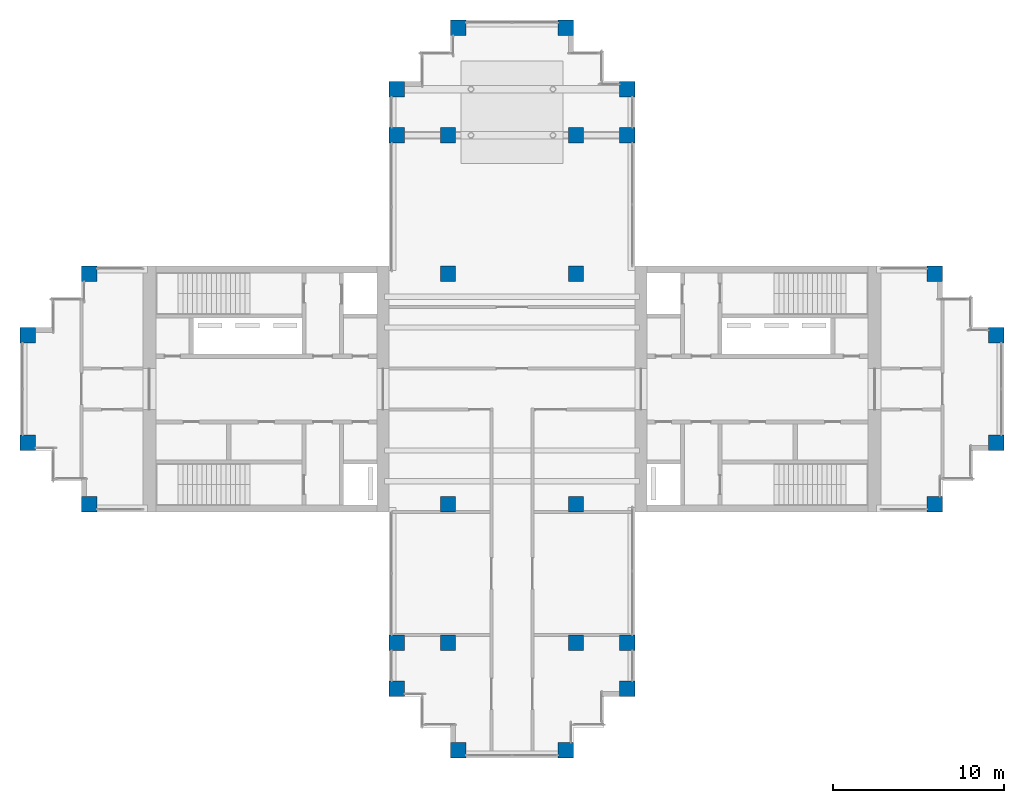
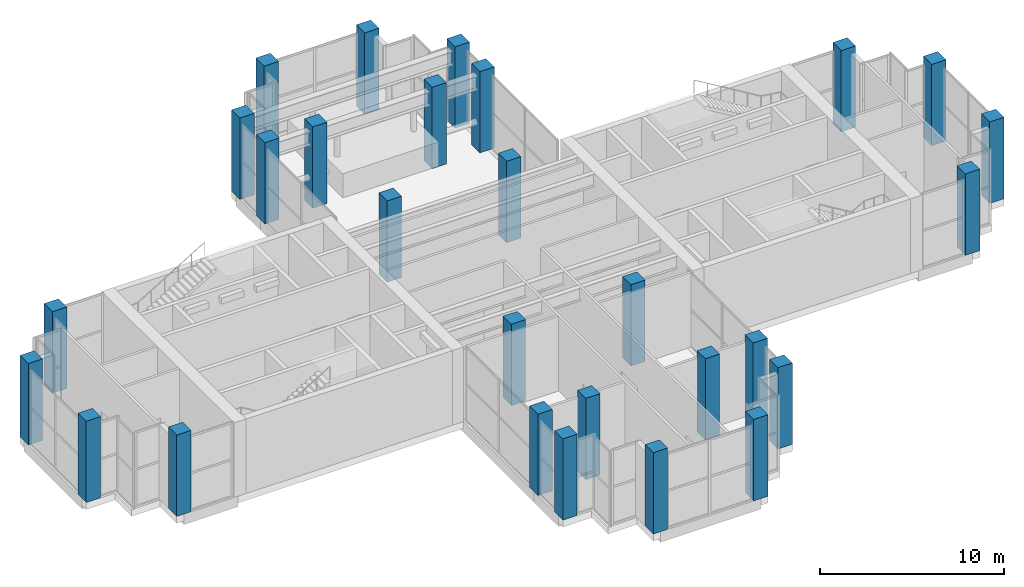
# One storey, part 1 of 13: 28 columns.
"""IFC4 building model written with IfcOpenShell, lengths in metres."""

from ifc_helpers import new_model, si_unit, direction, frame, origin, origin_2d, place, context, subcontext, project, spatial, rectangle, extrude, material, material_profile, profile_set, type_object, element, save


model = new_model("IFC4")

# Units and contexts
model_context = context("Model", 3, precision=1e-05, world=origin(), true_north=direction((0.0, 1.0)))
body_context = subcontext(model_context, "Body", "Model", "MODEL_VIEW")
ifc_project = project(units=[si_unit("LENGTHUNIT", "METRE"), si_unit("AREAUNIT", "SQUARE_METRE"), si_unit("VOLUMEUNIT", "CUBIC_METRE"), si_unit("PLANEANGLEUNIT", "RADIAN"), si_unit("MASSUNIT", "GRAM", prefix="KILO")], contexts=[model_context])

# Site, building, storey
site_placement = place(None, origin())
site = spatial("IfcSite", under=ifc_project, at=site_placement, CompositionType="ELEMENT")
building_placement = place(site_placement, origin())
building = spatial("IfcBuilding", under=site, at=building_placement, Name="Fustian Cross Tower", CompositionType="ELEMENT")
storey_placement = place(building_placement, frame((0.0, 0.0, 242.10009765625)))
storey = spatial("IfcBuildingStorey", under=building, at=storey_placement, Name="L76", CompositionType="ELEMENT", Elevation=242.10009765625)

# Columns
ifc_material = material(Name="Concrete C40/50", Category="concrete")
ifc_material_profile = material_profile(ifc_material, rectangle(XDim=0.89990234375, YDim=0.89990234375, at=origin_2d()), Name="RC 900x900")
ifc_profile_set = profile_set([ifc_material_profile], Name="Concrete C40/50")
column_type = type_object("IfcColumnType", Name="COLUMN RC 900x900 C40/50", PredefinedType="COLUMN", material=ifc_profile_set)
for number, where, z_axis, x_axis, name in (
    (1, (-28.35009765625, -3.14990234375, 0.0), (0.0, 0.0, 1.0), (1.0, 0.0, 0.0), "COLUMN 008"),
    (2, (-28.35009765625, 3.14990234375, 0.0), (0.0, 0.0, 1.0), (1.0, 0.0, 0.0), "COLUMN 009"),
    (3, (-24.75, -6.75, 0.0), (0.0, 0.0, 1.0), (1.0, 0.0, 0.0), "COLUMN 011"),
    (4, (-24.75, 6.75, 0.0), (0.0, 0.0, 1.0), (1.0, 0.0, 0.0), "COLUMN 012"),
    (5, (-6.75, -17.550048828125, 0.0), (0.0, 0.0, 1.0), (1.0, 0.0, 0.0), "COLUMN 017"),
    (6, (-6.75, -14.85009765625, 0.0), (0.0, 0.0, 1.0), (1.0, 0.0, 0.0), "COLUMN 018"),
    (7, (-6.75, 14.85009765625, 0.0), (0.0, 0.0, 1.0), (1.0, 0.0, 0.0), "COLUMN 019"),
    (8, (-6.75, 17.550048828125, 0.0), (0.0, 0.0, 1.0), (1.0, 0.0, 0.0), "COLUMN 020"),
    (9, (-3.75, -14.85009765625, 0.0), (0.0, 0.0, 1.0), (1.0, 0.0, 0.0), "COLUMN 025"),
    (10, (-3.75, -6.75, 0.0), (0.0, 0.0, 1.0), (1.0, 0.0, 0.0), "COLUMN 026"),
    (11, (-3.75, 6.75, 0.0), (0.0, 0.0, 1.0), (1.0, 0.0, 0.0), "COLUMN 027"),
    (12, (-3.75, 14.85009765625, 0.0), (0.0, 0.0, 1.0), (1.0, 0.0, 0.0), "COLUMN 028"),
    (13, (-3.14990234375, -21.14990234375, 0.0), (0.0, 0.0, 1.0), (1.0, 0.0, 0.0), "COLUMN 030"),
    (14, (-3.14990234375, 21.14990234375, 0.0), (0.0, 0.0, 1.0), (1.0, 0.0, 0.0), "COLUMN 031"),
    (15, (3.14990234375, -21.14990234375, 0.0), (0.0, 0.0, 1.0), (1.0, 0.0, 0.0), "COLUMN 034"),
    (16, (3.14990234375, 21.14990234375, 0.0), (0.0, 0.0, 1.0), (1.0, 0.0, 0.0), "COLUMN 035"),
    (17, (3.75, -14.85009765625, 0.0), (0.0, 0.0, 1.0), (1.0, 0.0, 0.0), "COLUMN 037"),
    (18, (3.75, -6.75, 0.0), (0.0, 0.0, 1.0), (1.0, 0.0, 0.0), "COLUMN 038"),
    (19, (3.75, 6.75, 0.0), (0.0, 0.0, 1.0), (1.0, 0.0, 0.0), "COLUMN 039"),
    (20, (3.75, 14.85009765625, 0.0), (0.0, 0.0, 1.0), (1.0, 0.0, 0.0), "COLUMN 040"),
    (21, (6.75, -17.550048828125, 0.0), (0.0, 0.0, 1.0), (1.0, 0.0, 0.0), "COLUMN 045"),
    (22, (6.75, -14.85009765625, 0.0), (0.0, 0.0, 1.0), (1.0, 0.0, 0.0), "COLUMN 046"),
    (23, (6.75, 14.85009765625, 0.0), (0.0, 0.0, 1.0), (1.0, 0.0, 0.0), "COLUMN 047"),
    (24, (6.75, 17.550048828125, 0.0), (0.0, 0.0, 1.0), (1.0, 0.0, 0.0), "COLUMN 048"),
    (25, (24.75, -6.75, 0.0), (0.0, 0.0, 1.0), (1.0, 0.0, 0.0), "COLUMN 053"),
    (26, (24.75, 6.75, 0.0), (0.0, 0.0, 1.0), (1.0, 0.0, 0.0), "COLUMN 054"),
    (27, (28.35009765625, -3.14990234375, 0.0), (0.0, 0.0, 1.0), (1.0, 0.0, 0.0), "COLUMN 056"),
    (28, (28.35009765625, 3.14990234375, 0.0), (0.0, 0.0, 1.0), (1.0, 0.0, 0.0), "COLUMN 057"),
):
    element("IfcColumn", number, at=place(storey_placement, frame(where, z_axis=z_axis, x_axis=x_axis)), inside=storey, type_object=column_type, Name=name, PredefinedType="COLUMN", context=body_context, shape_type="SweptSolid", body=[
        extrude(rectangle(XDim=0.89990234375, YDim=0.89990234375, at=origin_2d()), origin(), (0.0, 0.0, 1.0), 5.39990234375),
    ])

save(model, "model.ifc")
